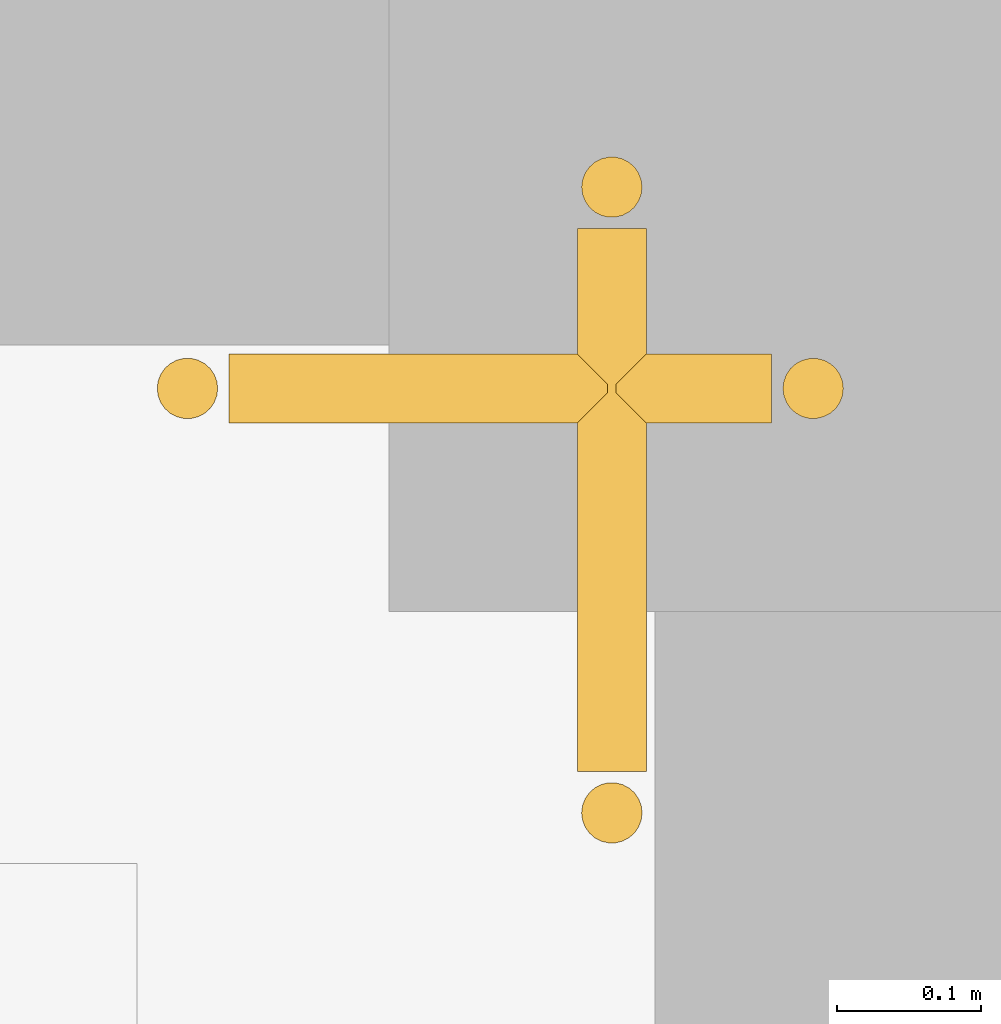
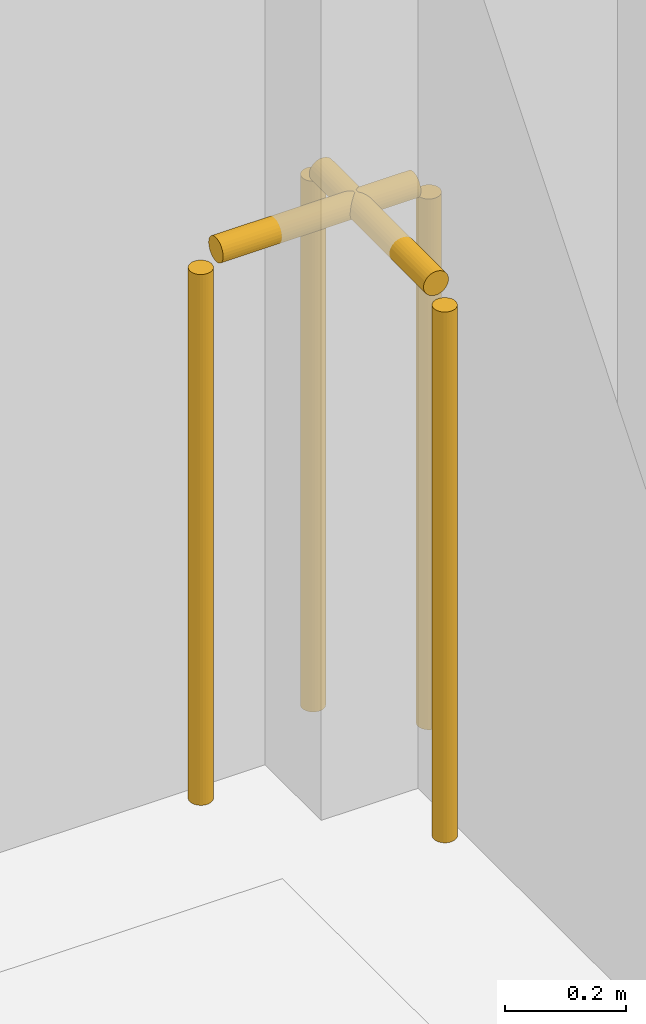
# One storey, part 49 of 51: 2 railings.
"""IFC4 building model written with IfcOpenShell, lengths in metres."""

from ifc_helpers import new_model, si_unit, direction, frame, origin, origin_2d, place, context, subcontext, project, spatial, circle, extrude, material, type_object, element, save


model = new_model("IFC4")

# Units and contexts
model_context = context("Model", 3, precision=1e-05, world=origin(), true_north=direction((0.0, 1.0)))
body_context = subcontext(model_context, "Body", "Model", "MODEL_VIEW")
ifc_project = project(units=[si_unit("LENGTHUNIT", "METRE"), si_unit("AREAUNIT", "SQUARE_METRE"), si_unit("VOLUMEUNIT", "CUBIC_METRE"), si_unit("PLANEANGLEUNIT", "RADIAN"), si_unit("MASSUNIT", "GRAM", prefix="KILO")], contexts=[model_context])

# Site, building, storey
site_placement = place(None, origin())
site = spatial("IfcSite", under=ifc_project, at=site_placement, CompositionType="ELEMENT")
building_placement = place(site_placement, origin())
building = spatial("IfcBuilding", under=site, at=building_placement, Name="Zuvorla Pavilion Media Centre", CompositionType="ELEMENT")
storey_placement = place(building_placement, frame((0.0, 0.0, 4.800048828125)))
storey = spatial("IfcBuildingStorey", under=building, at=storey_placement, Name="L01", CompositionType="ELEMENT", Elevation=4.800048828125)

# Railings
ifc_material = material(Name="Powder-coated steel balustrade guard", Category="steel")
railing_type = type_object("IfcRailingType", Name="RL-INT-GRD", PredefinedType="BALUSTRADE", material=ifc_material)
railing_1_placement = place(storey_placement, frame((133.780029296875, 119.919921875, 0.0)))
element("IfcRailing", 1, at=railing_1_placement, inside=storey, type_object=railing_type, Name="L01 slab edge guard 39", PredefinedType="BALUSTRADE", context=body_context, shape_type="SweptSolid", body=[
    extrude(circle(Radius=0.02392578125, at=origin_2d()), frame((0.0, -0.02880859375, 1.09619140625), z_axis=(0.0, -1.0, 0.0), x_axis=(1.0, 0.0, 0.0)), (0.0, 0.0, 1.0), 0.377197265625),
    extrude(circle(Radius=0.02099609375, at=origin_2d()), origin(), (0.0, 0.0, 1.0), 1.070068359375),
    extrude(circle(Radius=0.02099609375, at=origin_2d()), frame((0.0, -0.434814453125, 0.0)), (0.0, 0.0, 1.0), 1.070068359375),
])
railing_2_placement = place(storey_placement, frame((133.485107421875, 119.780029296875, 0.0)))
element("IfcRailing", 2, at=railing_2_placement, inside=storey, type_object=railing_type, Name="L01 slab edge guard 58", PredefinedType="BALUSTRADE", context=body_context, shape_type="SweptSolid", body=[
    extrude(circle(Radius=0.02392578125, at=origin_2d()), frame((0.02880859375, 0.0, 1.09619140625), z_axis=(1.0, 0.0, 0.0), x_axis=(0.0, 1.0, 0.0)), (0.0, 0.0, 1.0), 0.377197265625),
    extrude(circle(Radius=0.02099609375, at=origin_2d()), origin(), (0.0, 0.0, 1.0), 1.070068359375),
    extrude(circle(Radius=0.02099609375, at=origin_2d()), frame((0.434814453125, 0.0, 0.0)), (0.0, 0.0, 1.0), 1.070068359375),
])

save(model, "model.ifc")
